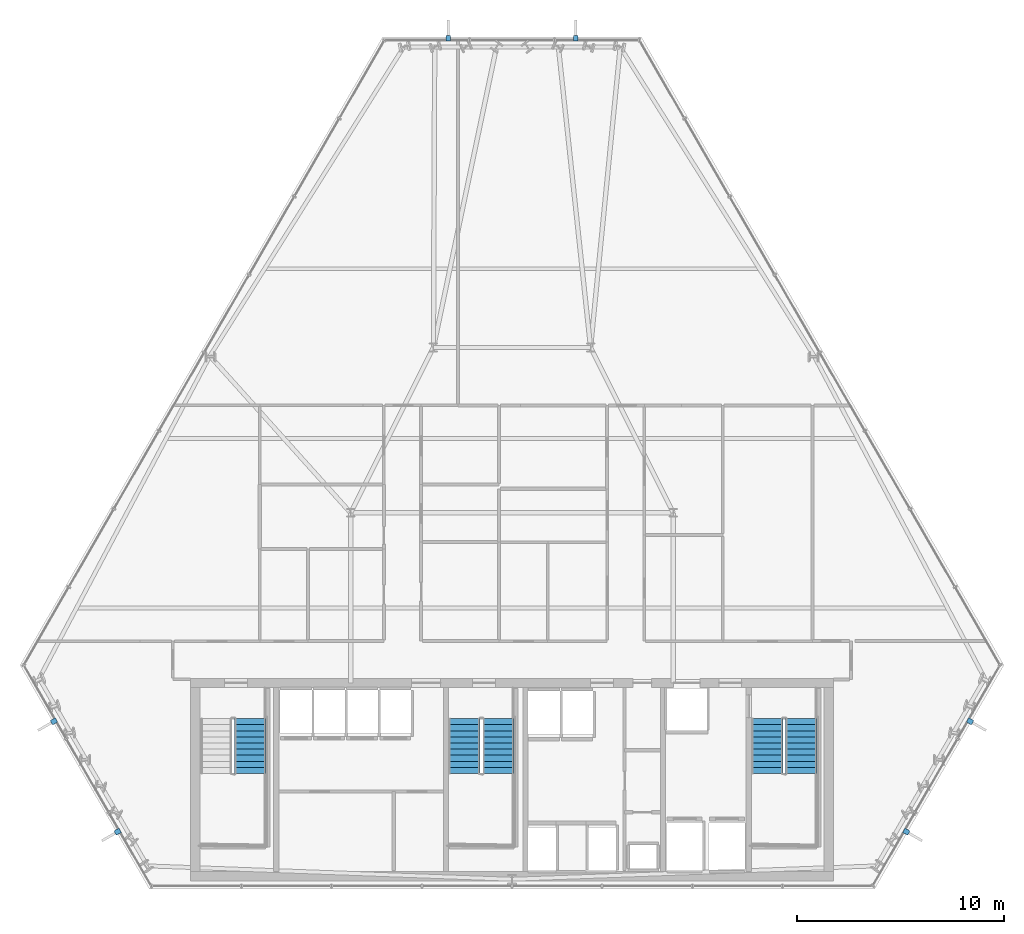
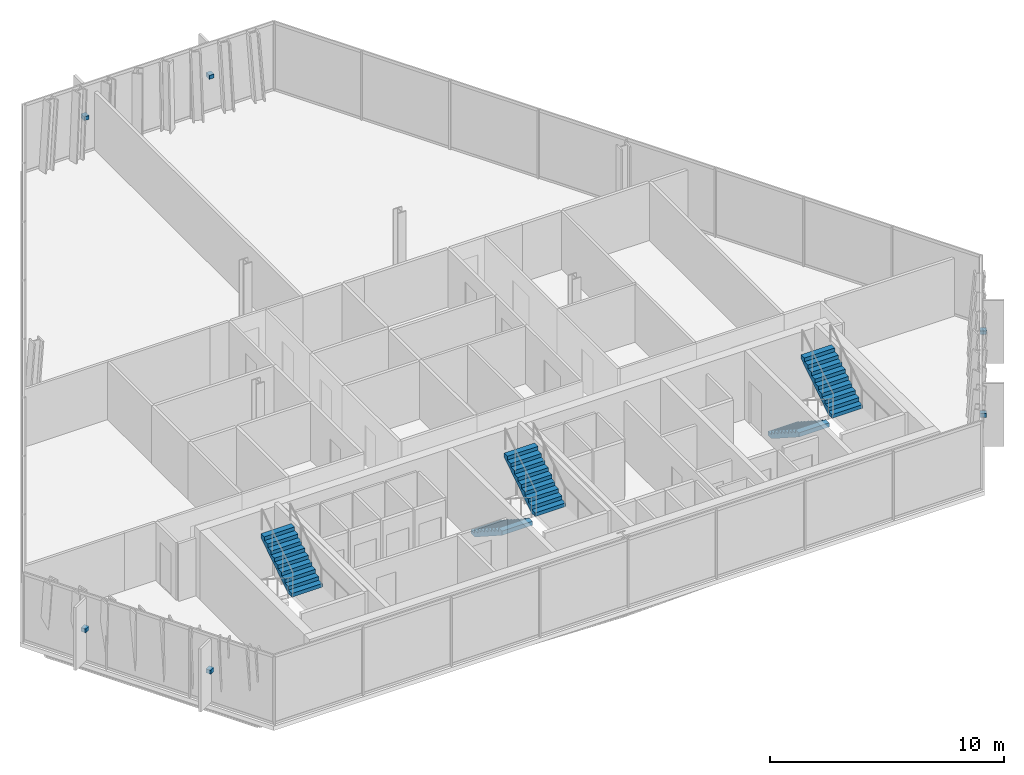
# One storey, part 28 of 32: 6 discrete accessories, 5 stair flights, 3 elements without a shape of their own.
"""IFC4 building model written with IfcOpenShell, lengths in metres."""

from ifc_helpers import new_model, si_unit, direction, frame, origin, origin_2d, place, context, subcontext, project, spatial, polyline, rectangle, outline, extrude, material, type_object, element, aggregate, save


model = new_model("IFC4")

# Units and contexts
model_context = context("Model", 3, precision=1e-05, world=origin(), true_north=direction((0.0, 1.0)))
body_context = subcontext(model_context, "Body", "Model", "MODEL_VIEW")
ifc_project = project(units=[si_unit("LENGTHUNIT", "METRE"), si_unit("AREAUNIT", "SQUARE_METRE"), si_unit("VOLUMEUNIT", "CUBIC_METRE"), si_unit("PLANEANGLEUNIT", "RADIAN"), si_unit("MASSUNIT", "GRAM", prefix="KILO")], contexts=[model_context])

# Site, building, storey
site_placement = place(None, origin())
site = spatial("IfcSite", under=ifc_project, at=site_placement, CompositionType="ELEMENT")
building_placement = place(site_placement, origin())
building = spatial("IfcBuilding", under=site, at=building_placement, Name="Ndaravel Arena Tower", CompositionType="ELEMENT")
storey_placement = place(building_placement, frame((0.0, 0.0, 134.60009765625)))
storey = spatial("IfcBuildingStorey", under=building, at=storey_placement, Name="L31", CompositionType="ELEMENT", Elevation=134.60009765625)

# Stair, stair flight
ifc_material_1 = material(Name="Concrete C40/50", Category="concrete")
stair_type = type_object("IfcStairType", Name="STAIR-CORE-HT", PredefinedType="HALF_TURN_STAIR", material=ifc_material_1)
stair_1_placement = place(storey_placement, origin())
stair_1 = element("IfcStair", 1, at=stair_1_placement, inside=storey, type_object=stair_type, Name="L31 ST-1", PredefinedType="HALF_TURN_STAIR")
ifc_material_2 = material(Name="Concrete C40/50", Category="concrete")
stair_flight_type = type_object("IfcStairFlightType", Name="SFLIGHT-CORE-1680", PredefinedType="STRAIGHT", material=ifc_material_2)
stair_flight_1_placement = place(storey_placement, frame((29.340087890625, 10.594970703125, 1.89990234375), z_axis=(0.0, 0.0, 1.0), x_axis=(0.0, 1.0, 0.0)))
stair_flight_1 = element("IfcStairFlight", 2, at=stair_flight_1_placement, type_object=stair_flight_type, Name="ST-1 flight 2", NumberOfRisers=10, NumberOfTreads=9, PredefinedType="STRAIGHT", RiserHeight=0.19, TreadLength=0.295, context=body_context, shape_type="SweptSolid", body=[
    extrude(outline(polyline([(0.0, 0.0), (0.0, 0.18994140625), (0.294921875, 0.18994140625), (0.294921875, 0.3798828125), (0.590087890625, 0.3798828125), (0.590087890625, 0.570068359375), (0.885009765625, 0.570068359375), (0.885009765625, 0.760009765625), (1.179931640625, 0.760009765625), (1.179931640625, 0.949951171875), (1.47509765625, 0.949951171875), (1.47509765625, 1.139892578125), (1.77001953125, 1.139892578125), (1.77001953125, 1.330078125), (2.06494140625, 1.330078125), (2.06494140625, 1.52001953125), (2.360107421875, 1.52001953125), (2.360107421875, 1.7099609375), (2.655029296875, 1.7099609375), (2.655029296875, 1.89990234375), (2.655029296875, 1.49609375), (0.332275390625, 0.0), (0.0, 0.0)])), frame((0.0, 0.75, 0.0), z_axis=(0.0, -1.0, 0.0), x_axis=(1.0, 0.0, 0.0)), (0.0, 0.0, 1.0), 1.5),
])
aggregate(stair_1, [stair_flight_1])

# Stair, stair flights
stair_2_placement = place(storey_placement, origin())
stair_2 = element("IfcStair", 3, at=stair_2_placement, inside=storey, type_object=stair_type, Name="L31 ST-2", PredefinedType="HALF_TURN_STAIR")
stair_flight_2_placement = place(storey_placement, frame((39.699951171875, 13.25, 0.0), z_axis=(0.0, 0.0, 1.0), x_axis=(0.0, -1.0, 0.0)))
stair_flight_2 = element("IfcStairFlight", 4, at=stair_flight_2_placement, type_object=stair_flight_type, Name="ST-2 flight 1", NumberOfRisers=10, NumberOfTreads=9, PredefinedType="STRAIGHT", RiserHeight=0.19, TreadLength=0.295, context=body_context, shape_type="SweptSolid", body=[
    extrude(outline(polyline([(0.0, 0.0), (0.0, 0.18994140625), (0.294921875, 0.18994140625), (0.294921875, 0.3798828125), (0.590087890625, 0.3798828125), (0.590087890625, 0.570068359375), (0.885009765625, 0.570068359375), (0.885009765625, 0.760009765625), (1.179931640625, 0.760009765625), (1.179931640625, 0.949951171875), (1.47509765625, 0.949951171875), (1.47509765625, 1.139892578125), (1.77001953125, 1.139892578125), (1.77001953125, 1.330078125), (2.06494140625, 1.330078125), (2.06494140625, 1.52001953125), (2.360107421875, 1.52001953125), (2.360107421875, 1.7099609375), (2.655029296875, 1.7099609375), (2.655029296875, 1.89990234375), (2.655029296875, 1.49609375), (0.332275390625, 0.0), (0.0, 0.0)])), frame((0.0, 0.75, 0.0), z_axis=(0.0, -1.0, 0.0), x_axis=(1.0, 0.0, 0.0)), (0.0, 0.0, 1.0), 1.5),
])
stair_flight_3_placement = place(storey_placement, frame((41.340087890625, 10.594970703125, 1.89990234375), z_axis=(0.0, 0.0, 1.0), x_axis=(0.0, 1.0, 0.0)))
stair_flight_3 = element("IfcStairFlight", 5, at=stair_flight_3_placement, type_object=stair_flight_type, Name="ST-2 flight 2", NumberOfRisers=10, NumberOfTreads=9, PredefinedType="STRAIGHT", RiserHeight=0.19, TreadLength=0.295, context=body_context, shape_type="SweptSolid", body=[
    extrude(outline(polyline([(0.0, 0.0), (0.0, 0.18994140625), (0.294921875, 0.18994140625), (0.294921875, 0.3798828125), (0.590087890625, 0.3798828125), (0.590087890625, 0.570068359375), (0.885009765625, 0.570068359375), (0.885009765625, 0.760009765625), (1.179931640625, 0.760009765625), (1.179931640625, 0.949951171875), (1.47509765625, 0.949951171875), (1.47509765625, 1.139892578125), (1.77001953125, 1.139892578125), (1.77001953125, 1.330078125), (2.06494140625, 1.330078125), (2.06494140625, 1.52001953125), (2.360107421875, 1.52001953125), (2.360107421875, 1.7099609375), (2.655029296875, 1.7099609375), (2.655029296875, 1.89990234375), (2.655029296875, 1.49609375), (0.332275390625, 0.0), (0.0, 0.0)])), frame((0.0, 0.75, 0.0), z_axis=(0.0, -1.0, 0.0), x_axis=(1.0, 0.0, 0.0)), (0.0, 0.0, 1.0), 1.5),
])
aggregate(stair_2, [stair_flight_2, stair_flight_3])

stair_3_placement = place(storey_placement, origin())
stair_3 = element("IfcStair", 6, at=stair_3_placement, inside=storey, type_object=stair_type, Name="L31 ST-3", PredefinedType="HALF_TURN_STAIR")
stair_flight_4_placement = place(storey_placement, frame((54.35009765625, 13.25, 0.0), z_axis=(0.0, 0.0, 1.0), x_axis=(0.0, -1.0, 0.0)))
stair_flight_4 = element("IfcStairFlight", 7, at=stair_flight_4_placement, type_object=stair_flight_type, Name="ST-3 flight 1", NumberOfRisers=10, NumberOfTreads=9, PredefinedType="STRAIGHT", RiserHeight=0.19, TreadLength=0.295, context=body_context, shape_type="SweptSolid", body=[
    extrude(outline(polyline([(0.0, 0.0), (0.0, 0.18994140625), (0.294921875, 0.18994140625), (0.294921875, 0.3798828125), (0.590087890625, 0.3798828125), (0.590087890625, 0.570068359375), (0.885009765625, 0.570068359375), (0.885009765625, 0.760009765625), (1.179931640625, 0.760009765625), (1.179931640625, 0.949951171875), (1.47509765625, 0.949951171875), (1.47509765625, 1.139892578125), (1.77001953125, 1.139892578125), (1.77001953125, 1.330078125), (2.06494140625, 1.330078125), (2.06494140625, 1.52001953125), (2.360107421875, 1.52001953125), (2.360107421875, 1.7099609375), (2.655029296875, 1.7099609375), (2.655029296875, 1.89990234375), (2.655029296875, 1.49609375), (0.332275390625, 0.0), (0.0, 0.0)])), frame((0.0, 0.75, 0.0), z_axis=(0.0, -1.0, 0.0), x_axis=(1.0, 0.0, 0.0)), (0.0, 0.0, 1.0), 1.5),
])
stair_flight_5_placement = place(storey_placement, frame((55.989990234375, 10.594970703125, 1.89990234375), z_axis=(0.0, 0.0, 1.0), x_axis=(0.0, 1.0, 0.0)))
stair_flight_5 = element("IfcStairFlight", 8, at=stair_flight_5_placement, type_object=stair_flight_type, Name="ST-3 flight 2", NumberOfRisers=10, NumberOfTreads=9, PredefinedType="STRAIGHT", RiserHeight=0.19, TreadLength=0.295, context=body_context, shape_type="SweptSolid", body=[
    extrude(outline(polyline([(0.0, 0.0), (0.0, 0.18994140625), (0.294921875, 0.18994140625), (0.294921875, 0.3798828125), (0.590087890625, 0.3798828125), (0.590087890625, 0.570068359375), (0.885009765625, 0.570068359375), (0.885009765625, 0.760009765625), (1.179931640625, 0.760009765625), (1.179931640625, 0.949951171875), (1.47509765625, 0.949951171875), (1.47509765625, 1.139892578125), (1.77001953125, 1.139892578125), (1.77001953125, 1.330078125), (2.06494140625, 1.330078125), (2.06494140625, 1.52001953125), (2.360107421875, 1.52001953125), (2.360107421875, 1.7099609375), (2.655029296875, 1.7099609375), (2.655029296875, 1.89990234375), (2.655029296875, 1.49609375), (0.332275390625, 0.0), (0.0, 0.0)])), frame((0.0, 0.75, 0.0), z_axis=(0.0, -1.0, 0.0), x_axis=(1.0, 0.0, 0.0)), (0.0, 0.0, 1.0), 1.5),
])
aggregate(stair_3, [stair_flight_4, stair_flight_5])

# Discrete accessories
ifc_material_3 = material(Name="Steel S355", Category="steel")
discrete_accessory_type = type_object("IfcDiscreteAccessoryType", Name="ACC-BRACKET-FIN", PredefinedType="BRACKET", material=ifc_material_3)
for number, where, z_axis, x_axis, name in (
    (9, (61.072998046875, 7.7802734375, 1.68994140625), (0.0, 0.0, 1.0), (0.866025403784, -0.5, 0.0), "L31 Mazeras Stone Solar Fin E2.1 Bracket"),
    (10, (64.15625, 13.120849609375, 1.68994140625), (0.0, 0.0, 1.0), (0.866025403784, -0.5, 0.0), "L31 Mazeras Stone Solar Fin E2.2 Bracket"),
    (11, (45.083251953125, 46.156005859375, 1.68994140625), (0.0, 0.0, 1.0), (0.0, 1.0, 0.0), "L31 Mazeras Stone Solar Fin E4.1 Bracket"),
    (12, (38.916748046875, 46.156005859375, 1.68994140625), (0.0, 0.0, 1.0), (0.0, 1.0, 0.0), "L31 Mazeras Stone Solar Fin E4.2 Bracket"),
    (13, (19.84375, 13.120849609375, 1.68994140625), (0.0, 0.0, 1.0), (-0.866025403784, -0.5, 0.0), "L31 Mazeras Stone Solar Fin E6.1 Bracket"),
    (14, (22.927001953125, 7.7802734375, 1.68994140625), (0.0, 0.0, 1.0), (-0.866025403784, -0.5, 0.0), "L31 Mazeras Stone Solar Fin E6.2 Bracket"),
):
    element("IfcDiscreteAccessory", number, at=place(storey_placement, frame(where, z_axis=z_axis, x_axis=x_axis)), inside=storey, type_object=discrete_accessory_type, Name=name, PredefinedType="BRACKET", context=body_context, shape_type="SweptSolid", body=[
        extrude(rectangle(XDim=0.280029296875, YDim=0.239990234375, at=origin_2d()), origin(), (0.0, 0.0, 1.0), 0.199951171875),
    ])

save(model, "model.ifc")
